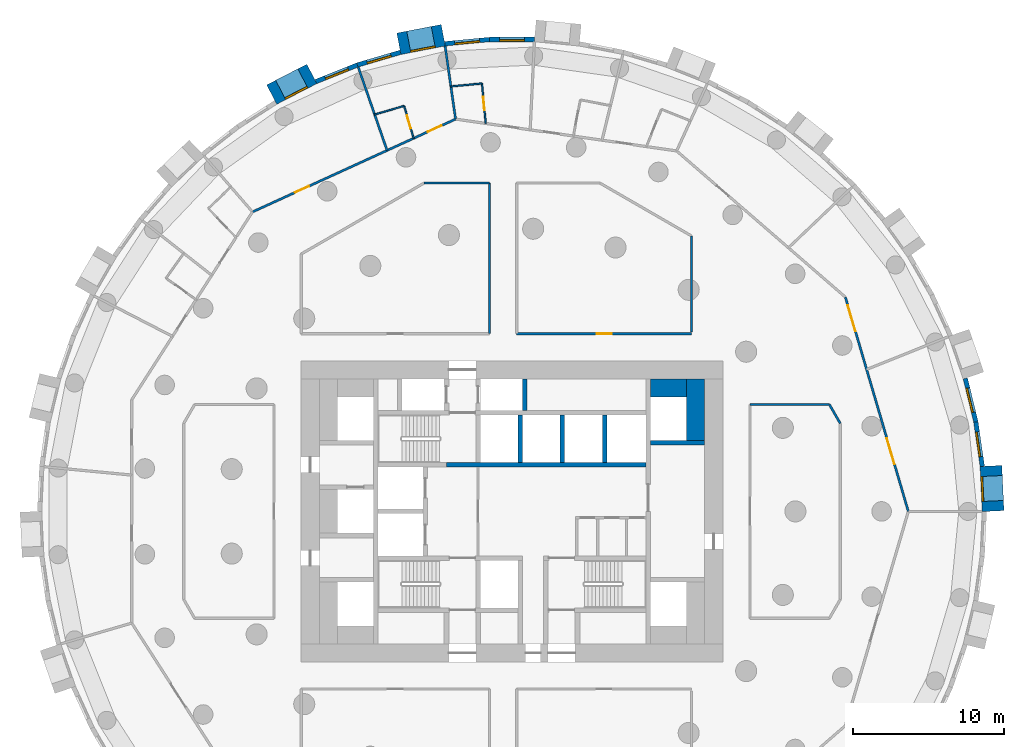
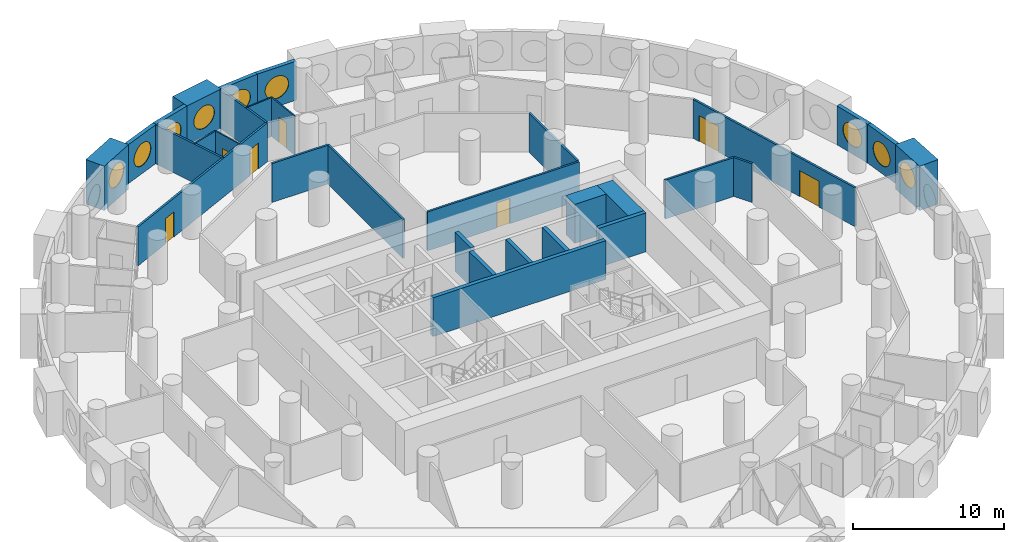
# One storey, part 8 of 11: 31 walls, 9 windows, 7 doors, 16 openings.
"""IFC4 building model written with IfcOpenShell, lengths in metres."""

from ifc_helpers import new_model, si_unit, direction, frame, frame_2d, origin, origin_2d, place, context, subcontext, project, spatial, rectangle, circle, extrude, material, layer, layer_set, type_object, element, fill, save


model = new_model("IFC4")

# Units and contexts
model_context = context("Model", 3, precision=1e-05, world=origin(), true_north=direction((0.0, 1.0)))
body_context = subcontext(model_context, "Body", "Model", "MODEL_VIEW")
ifc_project = project(units=[si_unit("LENGTHUNIT", "METRE"), si_unit("AREAUNIT", "SQUARE_METRE"), si_unit("VOLUMEUNIT", "CUBIC_METRE"), si_unit("PLANEANGLEUNIT", "RADIAN"), si_unit("MASSUNIT", "GRAM", prefix="KILO")], contexts=[model_context])

# Site, building, storey
site_placement = place(None, origin())
site = spatial("IfcSite", under=ifc_project, at=site_placement, CompositionType="ELEMENT")
building_placement = place(site_placement, origin())
building = spatial("IfcBuilding", under=site, at=building_placement, Name="Tracery Tower", CompositionType="ELEMENT")
storey_placement = place(building_placement, frame((0.0, 0.0, 93.0)))
storey = spatial("IfcBuildingStorey", under=building, at=storey_placement, Name="L23", CompositionType="ELEMENT", Elevation=93.0)

# Walls
ifc_material_1 = material(Name="Concrete C60/75", Category="concrete")
ifc_layer_1 = layer(ifc_material_1, 1.199951171875)
ifc_layer_set_1 = layer_set([ifc_layer_1], Name="Core strip wall 1200 C60")
wall_type_1 = type_object("IfcWallType", Name="Core strip wall 1200 C60", PredefinedType="SOLIDWALL", material=ifc_layer_set_1)
wall_1_placement = place(storey_placement, frame((12.199951171875, 4.699951171875, 0.0), z_axis=(0.0, 0.0, 1.0), x_axis=(0.0, 1.0, 0.0)))
element("IfcWall", 1, at=wall_1_placement, inside=storey, type_object=wall_type_1, Name="L23 wing strip +1 4.55", PredefinedType="SOLIDWALL", context=body_context, shape_type="SweptSolid", body=[
    extrude(rectangle(XDim=4.10009765625, YDim=1.199951171875, at=frame_2d((2.050048828125, 0.0))), origin(), (0.0, 0.0, 1.0), 3.14990234375),
])
wall_2_placement = place(storey_placement, frame((9.199951171875, 8.199951171875, 0.0), z_axis=(0.0, 0.0, 1.0), x_axis=(1.0, 0.0, 0.0)))
element("IfcWall", 2, at=wall_2_placement, inside=storey, type_object=wall_type_1, Name="L23 wing corner +1 +8.2", PredefinedType="SOLIDWALL", context=body_context, shape_type="SweptSolid", body=[
    extrude(rectangle(XDim=2.400146484375, YDim=1.199951171875, at=frame_2d((1.2001953125, 0.0))), origin(), (0.0, 0.0, 1.0), 3.14990234375),
])

# Wall, opening, window
ifc_material_2 = material(Name="Precast concrete C50/60", Category="concrete")
ifc_layer_2 = layer(ifc_material_2, 1.449951171875)
ifc_layer_set_2 = layer_set([ifc_layer_2], Name="Deep-set bay unit 3000 x 3600, slab edge 450")
wall_type_2 = type_object("IfcWallType", Name="Deep-set bay unit 3000 x 3600, slab edge 450", PredefinedType="ELEMENTEDWALL", material=ifc_layer_set_2)
wall_3_placement = place(storey_placement, frame((31.94921875, 0.020263671875, -0.449951171875), z_axis=(0.0, 0.0, 1.0), x_axis=(-0.047607680889, 0.998866111509, 0.0)))
wall_3 = element("IfcWall", 3, at=wall_3_placement, inside=storey, type_object=wall_type_2, Name="Deep-set bay unit 1 at L23", PredefinedType="ELEMENTEDWALL", context=body_context, shape_type="SweptSolid", body=[
    extrude(rectangle(XDim=3.0, YDim=1.449951171875, at=frame_2d((1.5, 0.0))), origin(), (0.0, 0.0, 1.0), 3.599853515625),
])
opening_1_placement = place(wall_3_placement, frame((1.5, 0.0, 2.0)))
opening_1 = element("IfcOpeningElement", 4, at=opening_1_placement, cuts=wall_3, Name="Opening WN1", PredefinedType="OPENING", context=body_context, shape_type="SweptSolid", body=[
    extrude(circle(Radius=0.9000244140625, at=origin_2d()), frame((0.0, 0.73486328125, 0.0), z_axis=(0.0, -1.0, 0.0), x_axis=(1.0, 0.0, 0.0)), (0.0, 0.0, 1.0), 1.469970703125),
])
ifc_material_3 = material(Name="Aluminium frame with tinted double glazing", Category="aluminium")
window_type = type_object("IfcWindowType", Name="Round window 1800", PartitioningType="SINGLE_PANEL", PredefinedType="WINDOW", material=ifc_material_3)
window_1_placement = place(opening_1_placement, origin())
window_1 = element("IfcWindow", 5, at=window_1_placement, inside=storey, type_object=window_type, Name="Round window 1 at L23", OverallHeight=1.800048828125, OverallWidth=1.800048828125, PartitioningType="SINGLE_PANEL", PredefinedType="WINDOW", context=body_context, shape_type="SweptSolid", body=[
    extrude(circle(Radius=0.9000244140625, at=origin_2d()), frame((0.0, 0.69482421875, 0.0), z_axis=(0.0, -1.0, 0.0), x_axis=(1.0, 0.0, 0.0)), (0.0, 0.0, 1.0), 0.10009765625),
])
fill(opening_1, window_1)

wall_4_placement = place(storey_placement, frame((-4.56689453125, 31.62109375, -0.449951171875), z_axis=(0.0, 0.0, 1.0), x_axis=(-0.981921602273, -0.189288052949, 0.0)))
wall_4 = element("IfcWall", 6, at=wall_4_placement, inside=storey, type_object=wall_type_2, Name="Deep-set bay unit 19 at L23", PredefinedType="ELEMENTEDWALL", context=body_context, shape_type="SweptSolid", body=[
    extrude(rectangle(XDim=3.0, YDim=1.449951171875, at=frame_2d((1.5, 0.0))), origin(), (0.0, 0.0, 1.0), 3.599853515625),
])
opening_2_placement = place(wall_4_placement, frame((1.5, 0.0, 2.0)))
opening_2 = element("IfcOpeningElement", 7, at=opening_2_placement, cuts=wall_4, Name="Opening WN1", PredefinedType="OPENING", context=body_context, shape_type="SweptSolid", body=[
    extrude(circle(Radius=0.9000244140625, at=origin_2d()), frame((0.0, 0.73486328125, 0.0), z_axis=(0.0, -1.0, 0.0), x_axis=(1.0, 0.0, 0.0)), (0.0, 0.0, 1.0), 1.469970703125),
])
window_2_placement = place(opening_2_placement, origin())
window_2 = element("IfcWindow", 8, at=window_2_placement, inside=storey, type_object=window_type, Name="Round window 19 at L23", OverallHeight=1.800048828125, OverallWidth=1.800048828125, PartitioningType="SINGLE_PANEL", PredefinedType="WINDOW", context=body_context, shape_type="SweptSolid", body=[
    extrude(circle(Radius=0.9000244140625, at=origin_2d()), frame((0.0, 0.69482421875, 0.0), z_axis=(0.0, -1.0, 0.0), x_axis=(1.0, 0.0, 0.0)), (0.0, 0.0, 1.0), 0.10009765625),
])
fill(opening_2, window_2)

wall_5_placement = place(storey_placement, frame((-13.29052734375, 29.053466796875, -0.449951171875), z_axis=(0.0, 0.0, 1.0), x_axis=(-0.888858064689, -0.458182650083, 0.0)))
wall_5 = element("IfcWall", 9, at=wall_5_placement, inside=storey, type_object=wall_type_2, Name="Deep-set bay unit 22 at L23", PredefinedType="ELEMENTEDWALL", context=body_context, shape_type="SweptSolid", body=[
    extrude(rectangle(XDim=3.0, YDim=1.449951171875, at=frame_2d((1.5, 0.0))), origin(), (0.0, 0.0, 1.0), 3.599853515625),
])
opening_3_placement = place(wall_5_placement, frame((1.5, 0.0, 2.0)))
opening_3 = element("IfcOpeningElement", 10, at=opening_3_placement, cuts=wall_5, Name="Opening WN1", PredefinedType="OPENING", context=body_context, shape_type="SweptSolid", body=[
    extrude(circle(Radius=0.9000244140625, at=origin_2d()), frame((0.0, 0.73486328125, 0.0), z_axis=(0.0, -1.0, 0.0), x_axis=(1.0, 0.0, 0.0)), (0.0, 0.0, 1.0), 1.469970703125),
])
window_3_placement = place(opening_3_placement, origin())
window_3 = element("IfcWindow", 11, at=window_3_placement, inside=storey, type_object=window_type, Name="Round window 22 at L23", OverallHeight=1.800048828125, OverallWidth=1.800048828125, PartitioningType="SINGLE_PANEL", PredefinedType="WINDOW", context=body_context, shape_type="SweptSolid", body=[
    extrude(circle(Radius=0.9000244140625, at=origin_2d()), frame((0.0, 0.69482421875, 0.0), z_axis=(0.0, -1.0, 0.0), x_axis=(1.0, 0.0, 0.0)), (0.0, 0.0, 1.0), 0.10009765625),
])
fill(opening_3, window_3)

ifc_material_4 = material(Name="Precast concrete C50/60", Category="concrete")
ifc_layer_3 = layer(ifc_material_4, 0.300048828125)
ifc_layer_set_3 = layer_set([ifc_layer_3], Name="Facade panel 3000 x 3150")
wall_type_3 = type_object("IfcWallType", Name="Facade panel 3000 x 3150", PredefinedType="SOLIDWALL", material=ifc_layer_set_3)
wall_6_placement = place(storey_placement, frame((31.2314453125, 2.98828125, 0.0), z_axis=(0.0, 0.0, 1.0), x_axis=(-0.142315996627, 0.989821275334, 0.0)))
wall_6 = element("IfcWall", 12, at=wall_6_placement, inside=storey, type_object=wall_type_3, Name="Facade panel 2 at L23", PredefinedType="SOLIDWALL", context=body_context, shape_type="SweptSolid", body=[
    extrude(rectangle(XDim=2.979736328125, YDim=0.300048828125, at=frame_2d((1.48974609375, 0.0))), origin(), (0.0, 0.0, 1.0), 3.14990234375),
])
opening_4_placement = place(wall_6_placement, frame((1.48974609375, 0.0, 1.5498046875)))
opening_4 = element("IfcOpeningElement", 13, at=opening_4_placement, cuts=wall_6, Name="Opening WN1", PredefinedType="OPENING", context=body_context, shape_type="SweptSolid", body=[
    extrude(circle(Radius=0.9000244140625, at=origin_2d()), frame((0.0, 0.159912109375, 0.0), z_axis=(0.0, -1.0, 0.0), x_axis=(1.0, 0.0, 0.0)), (0.0, 0.0, 1.0), 0.320068359375),
])
window_4_placement = place(opening_4_placement, origin())
window_4 = element("IfcWindow", 14, at=window_4_placement, inside=storey, type_object=window_type, Name="Round window 2 at L23", OverallHeight=1.800048828125, OverallWidth=1.800048828125, PartitioningType="SINGLE_PANEL", PredefinedType="WINDOW", context=body_context, shape_type="SweptSolid", body=[
    extrude(circle(Radius=0.9000244140625, at=origin_2d()), frame((0.0, 0.1201171875, 0.0), z_axis=(0.0, -1.0, 0.0), x_axis=(1.0, 0.0, 0.0)), (0.0, 0.0, 1.0), 0.10009765625),
])
fill(opening_4, window_4)

wall_7_placement = place(storey_placement, frame((30.807373046875, 5.937744140625, 0.0), z_axis=(0.0, 0.0, 1.0), x_axis=(-0.235743081534, 0.971815414319, 0.0)))
wall_7 = element("IfcWall", 15, at=wall_7_placement, inside=storey, type_object=wall_type_3, Name="Facade panel 3 at L23", PredefinedType="SOLIDWALL", context=body_context, shape_type="SweptSolid", body=[
    extrude(rectangle(XDim=2.9794921875, YDim=0.300048828125, at=frame_2d((1.48974609375, 0.0))), origin(), (0.0, 0.0, 1.0), 3.14990234375),
])
opening_5_placement = place(wall_7_placement, frame((1.48974609375, 0.0, 1.5498046875)))
opening_5 = element("IfcOpeningElement", 16, at=opening_5_placement, cuts=wall_7, Name="Opening WN1", PredefinedType="OPENING", context=body_context, shape_type="SweptSolid", body=[
    extrude(circle(Radius=0.9000244140625, at=origin_2d()), frame((0.0, 0.159912109375, 0.0), z_axis=(0.0, -1.0, 0.0), x_axis=(1.0, 0.0, 0.0)), (0.0, 0.0, 1.0), 0.320068359375),
])
window_5_placement = place(opening_5_placement, origin())
window_5 = element("IfcWindow", 17, at=window_5_placement, inside=storey, type_object=window_type, Name="Round window 3 at L23", OverallHeight=1.800048828125, OverallWidth=1.800048828125, PartitioningType="SINGLE_PANEL", PredefinedType="WINDOW", context=body_context, shape_type="SweptSolid", body=[
    extrude(circle(Radius=0.9000244140625, at=origin_2d()), frame((0.0, 0.1201171875, 0.0), z_axis=(0.0, -1.0, 0.0), x_axis=(1.0, 0.0, 0.0)), (0.0, 0.0, 1.0), 0.10009765625),
])
fill(opening_5, window_5)

wall_8_placement = place(storey_placement, frame((1.48681640625, 31.3388671875, 0.0), z_axis=(0.0, 0.0, 1.0), x_axis=(-1.0, 0.0, 0.0)))
wall_8 = element("IfcWall", 18, at=wall_8_placement, inside=storey, type_object=wall_type_3, Name="Facade panel 17 at L23", PredefinedType="SOLIDWALL", context=body_context, shape_type="SweptSolid", body=[
    extrude(rectangle(XDim=2.979736328125, YDim=0.300048828125, at=frame_2d((1.48974609375, 0.0))), origin(), (0.0, 0.0, 1.0), 3.14990234375),
])
opening_6_placement = place(wall_8_placement, frame((1.48974609375, 0.0, 1.5498046875)))
opening_6 = element("IfcOpeningElement", 19, at=opening_6_placement, cuts=wall_8, Name="Opening WN1", PredefinedType="OPENING", context=body_context, shape_type="SweptSolid", body=[
    extrude(circle(Radius=0.9000244140625, at=origin_2d()), frame((0.0, 0.159912109375, 0.0), z_axis=(0.0, -1.0, 0.0), x_axis=(1.0, 0.0, 0.0)), (0.0, 0.0, 1.0), 0.320068359375),
])
window_6_placement = place(opening_6_placement, origin())
window_6 = element("IfcWindow", 20, at=window_6_placement, inside=storey, type_object=window_type, Name="Round window 17 at L23", OverallHeight=1.800048828125, OverallWidth=1.800048828125, PartitioningType="SINGLE_PANEL", PredefinedType="WINDOW", context=body_context, shape_type="SweptSolid", body=[
    extrude(circle(Radius=0.9000244140625, at=origin_2d()), frame((0.0, 0.1201171875, 0.0), z_axis=(0.0, -1.0, 0.0), x_axis=(1.0, 0.0, 0.0)), (0.0, 0.0, 1.0), 0.10009765625),
])
fill(opening_6, window_6)

wall_9_placement = place(storey_placement, frame((-1.492919921875, 31.3388671875, 0.0), z_axis=(0.0, 0.0, 1.0), x_axis=(-0.995472611385, -0.095048829468, 0.0)))
wall_9 = element("IfcWall", 21, at=wall_9_placement, inside=storey, type_object=wall_type_3, Name="Facade panel 18 at L23", PredefinedType="SOLIDWALL", context=body_context, shape_type="SweptSolid", body=[
    extrude(rectangle(XDim=2.9794921875, YDim=0.300048828125, at=frame_2d((1.48974609375, 0.0))), origin(), (0.0, 0.0, 1.0), 3.14990234375),
])
opening_7_placement = place(wall_9_placement, frame((1.48974609375, 0.0, 1.5498046875)))
opening_7 = element("IfcOpeningElement", 22, at=opening_7_placement, cuts=wall_9, Name="Opening WN1", PredefinedType="OPENING", context=body_context, shape_type="SweptSolid", body=[
    extrude(circle(Radius=0.9000244140625, at=origin_2d()), frame((0.0, 0.159912109375, 0.0), z_axis=(0.0, -1.0, 0.0), x_axis=(1.0, 0.0, 0.0)), (0.0, 0.0, 1.0), 0.320068359375),
])
window_7_placement = place(opening_7_placement, origin())
window_7 = element("IfcWindow", 23, at=window_7_placement, inside=storey, type_object=window_type, Name="Round window 18 at L23", OverallHeight=1.800048828125, OverallWidth=1.800048828125, PartitioningType="SINGLE_PANEL", PredefinedType="WINDOW", context=body_context, shape_type="SweptSolid", body=[
    extrude(circle(Radius=0.9000244140625, at=origin_2d()), frame((0.0, 0.1201171875, 0.0), z_axis=(0.0, -1.0, 0.0), x_axis=(1.0, 0.0, 0.0)), (0.0, 0.0, 1.0), 0.10009765625),
])
fill(opening_7, window_7)

wall_10_placement = place(storey_placement, frame((-7.402587890625, 30.48828125, 0.0), z_axis=(0.0, 0.0, 1.0), x_axis=(-0.959501085144, -0.281704930036, 0.0)))
wall_10 = element("IfcWall", 24, at=wall_10_placement, inside=storey, type_object=wall_type_3, Name="Facade panel 20 at L23", PredefinedType="SOLIDWALL", context=body_context, shape_type="SweptSolid", body=[
    extrude(rectangle(XDim=2.9794921875, YDim=0.300048828125, at=frame_2d((1.48974609375, 0.0))), origin(), (0.0, 0.0, 1.0), 3.14990234375),
])
opening_8_placement = place(wall_10_placement, frame((1.48974609375, 0.0, 1.5498046875)))
opening_8 = element("IfcOpeningElement", 25, at=opening_8_placement, cuts=wall_10, Name="Opening WN1", PredefinedType="OPENING", context=body_context, shape_type="SweptSolid", body=[
    extrude(circle(Radius=0.9000244140625, at=origin_2d()), frame((0.0, 0.159912109375, 0.0), z_axis=(0.0, -1.0, 0.0), x_axis=(1.0, 0.0, 0.0)), (0.0, 0.0, 1.0), 0.320068359375),
])
window_8_placement = place(opening_8_placement, origin())
window_8 = element("IfcWindow", 26, at=window_8_placement, inside=storey, type_object=window_type, Name="Round window 20 at L23", OverallHeight=1.800048828125, OverallWidth=1.800048828125, PartitioningType="SINGLE_PANEL", PredefinedType="WINDOW", context=body_context, shape_type="SweptSolid", body=[
    extrude(circle(Radius=0.9000244140625, at=origin_2d()), frame((0.0, 0.1201171875, 0.0), z_axis=(0.0, -1.0, 0.0), x_axis=(1.0, 0.0, 0.0)), (0.0, 0.0, 1.0), 0.10009765625),
])
fill(opening_8, window_8)

wall_11_placement = place(storey_placement, frame((-10.261474609375, 29.64892578125, 0.0), z_axis=(0.0, 0.0, 1.0), x_axis=(-0.928374947, -0.371644935098, 0.0)))
wall_11 = element("IfcWall", 27, at=wall_11_placement, inside=storey, type_object=wall_type_3, Name="Facade panel 21 at L23", PredefinedType="SOLIDWALL", context=body_context, shape_type="SweptSolid", body=[
    extrude(rectangle(XDim=2.979736328125, YDim=0.300048828125, at=frame_2d((1.48974609375, 0.0))), origin(), (0.0, 0.0, 1.0), 3.14990234375),
])
opening_9_placement = place(wall_11_placement, frame((1.48974609375, 0.0, 1.5498046875)))
opening_9 = element("IfcOpeningElement", 28, at=opening_9_placement, cuts=wall_11, Name="Opening WN1", PredefinedType="OPENING", context=body_context, shape_type="SweptSolid", body=[
    extrude(circle(Radius=0.9000244140625, at=origin_2d()), frame((0.0, 0.159912109375, 0.0), z_axis=(0.0, -1.0, 0.0), x_axis=(1.0, 0.0, 0.0)), (0.0, 0.0, 1.0), 0.320068359375),
])
window_9_placement = place(opening_9_placement, origin())
window_9 = element("IfcWindow", 29, at=window_9_placement, inside=storey, type_object=window_type, Name="Round window 21 at L23", OverallHeight=1.800048828125, OverallWidth=1.800048828125, PartitioningType="SINGLE_PANEL", PredefinedType="WINDOW", context=body_context, shape_type="SweptSolid", body=[
    extrude(circle(Radius=0.9000244140625, at=origin_2d()), frame((0.0, 0.1201171875, 0.0), z_axis=(0.0, -1.0, 0.0), x_axis=(1.0, 0.0, 0.0)), (0.0, 0.0, 1.0), 0.10009765625),
])
fill(opening_9, window_9)

# Wall, opening, door
ifc_material_5 = material(Name="Plasterboard on steel studs", Category="steel")
ifc_layer_4 = layer(ifc_material_5, 0.10009765625)
ifc_layer_set_4 = layer_set([ifc_layer_4], Name="Partition 100 wet wall")
wall_type_4 = type_object("IfcWallType", Name="Partition 100 wet wall", PredefinedType="PARTITIONING", material=ifc_layer_set_4)
wall_12_placement = place(storey_placement, frame((-1.99609375, 28.41796875, 0.0), z_axis=(0.0, 0.0, 1.0), x_axis=(0.094925726797, -0.995484357683, 0.0)))
wall_12 = element("IfcWall", 30, at=wall_12_placement, inside=storey, type_object=wall_type_4, Name="Wet wall RA7-056", PredefinedType="PARTITIONING", context=body_context, shape_type="SweptSolid", body=[
    extrude(rectangle(XDim=2.6669921875, YDim=0.10009765625, at=frame_2d((1.33349609375, 0.0))), origin(), (0.0, 0.0, 1.0), 3.14990234375),
])
opening_10_placement = place(wall_12_placement, frame((0.883056640625, 0.0, 0.0)))
opening_10 = element("IfcOpeningElement", 31, at=opening_10_placement, cuts=wall_12, Name="Opening RA7-14", PredefinedType="OPENING", context=body_context, shape_type="SweptSolid", body=[
    extrude(rectangle(XDim=0.89990234375, YDim=2.0400390625, at=frame_2d((0.449951171875, 1.02001953125))), frame((0.0, 0.050048828125, 0.0), z_axis=(0.0, -1.0, 0.0), x_axis=(1.0, 0.0, 0.0)), (0.0, 0.0, 1.0), 0.10009765625),
])
ifc_material_6 = material(Name="Timber door leaf", Category="wood")
door_type_1 = type_object("IfcDoorType", Name="Door en-suite 900", OperationType="NOTDEFINED", PredefinedType="DOOR", material=ifc_material_6)
door_1_placement = place(opening_10_placement, origin())
door_1 = element("IfcDoor", 32, at=door_1_placement, inside=storey, type_object=door_type_1, Name="En-suite door RA7-14", OperationType="SINGLE_SWING_RIGHT", OverallHeight=2.0400390625, OverallWidth=0.89990234375, PredefinedType="DOOR", context=body_context, shape_type="SweptSolid", body=[
    extrude(rectangle(XDim=0.89990234375, YDim=2.0400390625, at=frame_2d((0.449951171875, 1.02001953125))), frame((0.0, 0.02490234375, 0.0), z_axis=(0.0, -1.0, 0.0), x_axis=(1.0, 0.0, 0.0)), (0.0, 0.0, 1.0), 0.050048828125),
])
fill(opening_10, door_1)

# Wall
wall_13_placement = place(storey_placement, frame((-4.05810546875, 28.220947265625, 0.0), z_axis=(0.0, 0.0, 1.0), x_axis=(0.995466291052, 0.095115000814, 0.0)))
element("IfcWall", 33, at=wall_13_placement, inside=storey, type_object=wall_type_4, Name="Wet wall RA7-057", PredefinedType="PARTITIONING", context=body_context, shape_type="SweptSolid", body=[
    extrude(rectangle(XDim=2.0712890625, YDim=0.10009765625, at=frame_2d((1.03564453125, 0.0))), origin(), (0.0, 0.0, 1.0), 3.14990234375),
])

# Wall, opening, door
wall_14_placement = place(storey_placement, frame((-7.1630859375, 26.929931640625, 0.0), z_axis=(0.0, 0.0, 1.0), x_axis=(0.281948165188, -0.959429638977, 0.0)))
wall_14 = element("IfcWall", 34, at=wall_14_placement, inside=storey, type_object=wall_type_4, Name="Wet wall RA7-059", PredefinedType="PARTITIONING", context=body_context, shape_type="SweptSolid", body=[
    extrude(rectangle(XDim=2.241943359375, YDim=0.10009765625, at=frame_2d((1.12109375, 0.0))), origin(), (0.0, 0.0, 1.0), 3.14990234375),
])
opening_11_placement = place(wall_14_placement, frame((0.6708984375, 0.0, 0.0)))
opening_11 = element("IfcOpeningElement", 35, at=opening_11_placement, cuts=wall_14, Name="Opening RA7-16", PredefinedType="OPENING", context=body_context, shape_type="SweptSolid", body=[
    extrude(rectangle(XDim=0.89990234375, YDim=2.0400390625, at=frame_2d((0.449951171875, 1.02001953125))), frame((0.0, 0.050048828125, 0.0), z_axis=(0.0, -1.0, 0.0), x_axis=(1.0, 0.0, 0.0)), (0.0, 0.0, 1.0), 0.10009765625),
])
door_2_placement = place(opening_11_placement, origin())
door_2 = element("IfcDoor", 36, at=door_2_placement, inside=storey, type_object=door_type_1, Name="En-suite door RA7-16", OperationType="SINGLE_SWING_RIGHT", OverallHeight=2.0400390625, OverallWidth=0.89990234375, PredefinedType="DOOR", context=body_context, shape_type="SweptSolid", body=[
    extrude(rectangle(XDim=0.89990234375, YDim=2.0400390625, at=frame_2d((0.449951171875, 1.02001953125))), frame((0.0, 0.02490234375, 0.0), z_axis=(0.0, -1.0, 0.0), x_axis=(1.0, 0.0, 0.0)), (0.0, 0.0, 1.0), 0.050048828125),
])
fill(opening_11, door_2)

# Walls
wall_15_placement = place(storey_placement, frame((-9.12109375, 26.35498046875, 0.0), z_axis=(0.0, 0.0, 1.0), x_axis=(0.95948923736, 0.281745281045, 0.0)))
element("IfcWall", 37, at=wall_15_placement, inside=storey, type_object=wall_type_4, Name="Wet wall RA7-060", PredefinedType="PARTITIONING", context=body_context, shape_type="SweptSolid", body=[
    extrude(rectangle(XDim=2.040771484375, YDim=0.10009765625, at=frame_2d((1.0205078125, 0.0))), origin(), (0.0, 0.0, 1.0), 3.14990234375),
])
ifc_material_7 = material(Name="Plasterboard on steel studs", Category="steel")
ifc_layer_5 = layer(ifc_material_7, 0.14990234375)
ifc_layer_set_5 = layer_set([ifc_layer_5], Name="Partition 150 acoustic unit wall")
wall_type_5 = type_object("IfcWallType", Name="Partition 150 acoustic unit wall", PredefinedType="PARTITIONING", material=ifc_layer_set_5)
wall_16_placement = place(storey_placement, frame((-4.444091796875, 30.906005859375, 0.0), z_axis=(0.0, 0.0, 1.0), x_axis=(0.142306296561, -0.989822669956, 0.0)))
element("IfcWall", 38, at=wall_16_placement, inside=storey, type_object=wall_type_5, Name="Unit wall RA7-058", PredefinedType="PARTITIONING", context=body_context, shape_type="SweptSolid", body=[
    extrude(rectangle(XDim=4.90478515625, YDim=0.14990234375, at=frame_2d((2.452392578125, 0.0))), origin(), (0.0, 0.0, 1.0), 3.14990234375),
])
wall_17_placement = place(storey_placement, frame((-10.2119140625, 29.507080078125, 0.0), z_axis=(0.0, 0.0, 1.0), x_axis=(0.327061884856, -0.945002922469, 0.0)))
element("IfcWall", 39, at=wall_17_placement, inside=storey, type_object=wall_type_5, Name="Unit wall RA7-061", PredefinedType="PARTITIONING", context=body_context, shape_type="SweptSolid", body=[
    extrude(rectangle(XDim=5.856689453125, YDim=0.14990234375, at=frame_2d((2.92822265625, 0.0))), origin(), (0.0, 0.0, 1.0), 3.14990234375),
])

# Wall, opening, door
ifc_material_8 = material(Name="Plasterboard on steel studs", Category="steel")
ifc_layer_6 = layer(ifc_material_8, 0.14990234375)
ifc_layer_set_6 = layer_set([ifc_layer_6], Name="Partition 150 corridor wall")
wall_type_6 = type_object("IfcWallType", Name="Partition 150 corridor wall", PredefinedType="PARTITIONING", material=ifc_layer_set_6)
wall_18_placement = place(storey_placement, frame((0.305908203125, 11.800048828125, 0.0), z_axis=(0.0, 0.0, 1.0), x_axis=(1.0, 0.0, 0.0)))
wall_18 = element("IfcWall", 40, at=wall_18_placement, inside=storey, type_object=wall_type_6, Name="Corridor wall RA7-002", PredefinedType="PARTITIONING", context=body_context, shape_type="SweptSolid", body=[
    extrude(rectangle(XDim=11.6181640625, YDim=0.14990234375, at=frame_2d((5.80908203125, 0.0))), origin(), (0.0, 0.0, 1.0), 3.14990234375),
])
opening_12_placement = place(wall_18_placement, frame((5.30908203125, 0.0, 0.0)))
opening_12 = element("IfcOpeningElement", 41, at=opening_12_placement, cuts=wall_18, Name="Opening RA7-02", PredefinedType="OPENING", context=body_context, shape_type="SweptSolid", body=[
    extrude(rectangle(XDim=1.0, YDim=2.0400390625, at=frame_2d((0.5, 1.02001953125))), frame((0.0, 0.074951171875, 0.0), z_axis=(0.0, -1.0, 0.0), x_axis=(1.0, 0.0, 0.0)), (0.0, 0.0, 1.0), 0.14990234375),
])
ifc_material_9 = material(Name="Timber door leaf", Category="wood")
door_type_2 = type_object("IfcDoorType", Name="Door communal room 1000", OperationType="NOTDEFINED", PredefinedType="DOOR", material=ifc_material_9)
door_3_placement = place(opening_12_placement, origin())
door_3 = element("IfcDoor", 42, at=door_3_placement, inside=storey, type_object=door_type_2, Name="Communal room door RA7-02", OperationType="SINGLE_SWING_RIGHT", OverallHeight=2.0400390625, OverallWidth=1.0, PredefinedType="DOOR", context=body_context, shape_type="SweptSolid", body=[
    extrude(rectangle(XDim=1.0, YDim=2.0400390625, at=frame_2d((0.5, 1.02001953125))), frame((0.0, 0.02490234375, 0.0), z_axis=(0.0, -1.0, 0.0), x_axis=(1.0, 0.0, 0.0)), (0.0, 0.0, 1.0), 0.050048828125),
])
fill(opening_12, door_3)

# Walls
wall_19_placement = place(storey_placement, frame((21.075927734375, 7.10009765625, 0.0), z_axis=(0.0, 0.0, 1.0), x_axis=(0.499863102386, -0.866104427234, 0.0)))
element("IfcWall", 43, at=wall_19_placement, inside=storey, type_object=wall_type_6, Name="Corridor wall RA7-010", PredefinedType="PARTITIONING", context=body_context, shape_type="SweptSolid", body=[
    extrude(rectangle(XDim=1.45263671875, YDim=0.14990234375, at=frame_2d((0.726318359375, 0.0))), origin(), (0.0, 0.0, 1.0), 3.14990234375),
])
wall_20_placement = place(storey_placement, frame((15.800048828125, 7.10009765625, 0.0), z_axis=(0.0, 0.0, 1.0), x_axis=(1.0, 0.0, 0.0)))
element("IfcWall", 44, at=wall_20_placement, inside=storey, type_object=wall_type_6, Name="Corridor wall RA7-011", PredefinedType="PARTITIONING", context=body_context, shape_type="SweptSolid", body=[
    extrude(rectangle(XDim=5.27587890625, YDim=0.14990234375, at=frame_2d((2.637939453125, 0.0))), origin(), (0.0, 0.0, 1.0), 3.14990234375),
])

# Wall, openings, doors
wall_21_placement = place(storey_placement, frame((22.140380859375, 14.228759765625, 0.0), z_axis=(0.0, 0.0, 1.0), x_axis=(0.281780364869, -0.959478934617, 0.0)))
wall_21 = element("IfcWall", 45, at=wall_21_placement, inside=storey, type_object=wall_type_6, Name="Corridor wall RA7-012", PredefinedType="PARTITIONING", context=body_context, shape_type="SweptSolid", body=[
    extrude(rectangle(XDim=14.82958984375, YDim=0.14990234375, at=frame_2d((7.414794921875, 0.0))), origin(), (0.0, 0.0, 1.0), 3.14990234375),
])
opening_13_placement = place(wall_21_placement, frame((9.764404296875, 0.0, 0.0)))
opening_13 = element("IfcOpeningElement", 46, at=opening_13_placement, cuts=wall_21, Name="Opening RA7-07", PredefinedType="OPENING", context=body_context, shape_type="SweptSolid", body=[
    extrude(rectangle(XDim=1.800048828125, YDim=2.10009765625, at=frame_2d((0.89990234375, 1.050048828125))), frame((0.0, 0.074951171875, 0.0), z_axis=(0.0, -1.0, 0.0), x_axis=(1.0, 0.0, 0.0)), (0.0, 0.0, 1.0), 0.14990234375),
])
opening_14_placement = place(wall_21_placement, frame((0.553955078125, 0.0, 0.0)))
opening_14 = element("IfcOpeningElement", 47, at=opening_14_placement, cuts=wall_21, Name="Opening RA7-08", PredefinedType="OPENING", context=body_context, shape_type="SweptSolid", body=[
    extrude(rectangle(XDim=1.800048828125, YDim=2.10009765625, at=frame_2d((0.89990234375, 1.050048828125))), frame((0.0, 0.074951171875, 0.0), z_axis=(0.0, -1.0, 0.0), x_axis=(1.0, 0.0, 0.0)), (0.0, 0.0, 1.0), 0.14990234375),
])
ifc_material_10 = material(Name="Timber door leaf", Category="wood")
door_type_3 = type_object("IfcDoorType", Name="Door double lounge 1800", OperationType="NOTDEFINED", PredefinedType="DOOR", material=ifc_material_10)
door_4_placement = place(opening_13_placement, origin())
door_4 = element("IfcDoor", 48, at=door_4_placement, inside=storey, type_object=door_type_3, Name="Double lounge door RA7-07", OperationType="DOUBLE_DOOR_SINGLE_SWING", OverallHeight=2.10009765625, OverallWidth=1.800048828125, PredefinedType="DOOR", context=body_context, shape_type="SweptSolid", body=[
    extrude(rectangle(XDim=1.800048828125, YDim=2.10009765625, at=frame_2d((0.89990234375, 1.050048828125))), frame((0.0, 0.02490234375, 0.0), z_axis=(0.0, -1.0, 0.0), x_axis=(1.0, 0.0, 0.0)), (0.0, 0.0, 1.0), 0.050048828125),
])
fill(opening_13, door_4)
door_5_placement = place(opening_14_placement, origin())
door_5 = element("IfcDoor", 49, at=door_5_placement, inside=storey, type_object=door_type_3, Name="Double lounge door RA7-08", OperationType="DOUBLE_DOOR_SINGLE_SWING", OverallHeight=2.10009765625, OverallWidth=1.800048828125, PredefinedType="DOOR", context=body_context, shape_type="SweptSolid", body=[
    extrude(rectangle(XDim=1.800048828125, YDim=2.10009765625, at=frame_2d((0.89990234375, 1.050048828125))), frame((0.0, 0.02490234375, 0.0), z_axis=(0.0, -1.0, 0.0), x_axis=(1.0, 0.0, 0.0)), (0.0, 0.0, 1.0), 0.050048828125),
])
fill(opening_14, door_5)

# Walls
wall_22_placement = place(storey_placement, frame((-1.489990234375, 11.800048828125, 0.0), z_axis=(0.0, 0.0, 1.0), x_axis=(0.0, 1.0, 0.0)))
element("IfcWall", 50, at=wall_22_placement, inside=storey, type_object=wall_type_6, Name="Corridor wall RA7-016", PredefinedType="PARTITIONING", context=body_context, shape_type="SweptSolid", body=[
    extrude(rectangle(XDim=10.001953125, YDim=0.14990234375, at=frame_2d((5.0009765625, 0.0))), origin(), (0.0, 0.0, 1.0), 3.14990234375),
])
wall_23_placement = place(storey_placement, frame((-5.842041015625, 21.802001953125, 0.0), z_axis=(0.0, 0.0, 1.0), x_axis=(1.0, 0.0, 0.0)))
element("IfcWall", 51, at=wall_23_placement, inside=storey, type_object=wall_type_6, Name="Corridor wall RA7-017", PredefinedType="PARTITIONING", context=body_context, shape_type="SweptSolid", body=[
    extrude(rectangle(XDim=4.35205078125, YDim=0.14990234375, at=frame_2d((2.176025390625, 0.0))), origin(), (0.0, 0.0, 1.0), 3.14990234375),
])
wall_24_placement = place(storey_placement, frame((11.919921875, 11.919921875, 0.0), z_axis=(0.0, 0.0, 1.0), x_axis=(0.0, 1.0, 0.0)))
element("IfcWall", 52, at=wall_24_placement, inside=storey, type_object=wall_type_6, Name="Corridor wall RA7-020", PredefinedType="PARTITIONING", context=body_context, shape_type="SweptSolid", body=[
    extrude(rectangle(XDim=6.373046875, YDim=0.14990234375, at=frame_2d((3.1865234375, 0.0))), origin(), (0.0, 0.0, 1.0), 3.14990234375),
])

# Wall, openings, doors
wall_25_placement = place(storey_placement, frame((-17.23388671875, 19.8876953125, 0.0), z_axis=(0.0, 0.0, 1.0), x_axis=(0.90953867323, 0.415619299238, 0.0)))
wall_25 = element("IfcWall", 53, at=wall_25_placement, inside=storey, type_object=wall_type_6, Name="Corridor wall RA7-025", PredefinedType="PARTITIONING", context=body_context, shape_type="SweptSolid", body=[
    extrude(rectangle(XDim=14.829345703125, YDim=0.14990234375, at=frame_2d((7.41455078125, 0.0))), origin(), (0.0, 0.0, 1.0), 3.14990234375),
])
opening_15_placement = place(wall_25_placement, frame((12.797119140625, 0.0, 0.0)))
opening_15 = element("IfcOpeningElement", 54, at=opening_15_placement, cuts=wall_25, Name="Opening RA7-17", PredefinedType="OPENING", context=body_context, shape_type="SweptSolid", body=[
    extrude(rectangle(XDim=1.0, YDim=2.10009765625, at=frame_2d((0.5, 1.050048828125))), frame((0.0, 0.074951171875, 0.0), z_axis=(0.0, -1.0, 0.0), x_axis=(1.0, 0.0, 0.0)), (0.0, 0.0, 1.0), 0.14990234375),
])
opening_16_placement = place(wall_25_placement, frame((3.114990234375, 0.0, 0.0)))
opening_16 = element("IfcOpeningElement", 55, at=opening_16_placement, cuts=wall_25, Name="Opening RA7-18", PredefinedType="OPENING", context=body_context, shape_type="SweptSolid", body=[
    extrude(rectangle(XDim=1.0, YDim=2.0400390625, at=frame_2d((0.5, 1.02001953125))), frame((0.0, 0.074951171875, 0.0), z_axis=(0.0, -1.0, 0.0), x_axis=(1.0, 0.0, 0.0)), (0.0, 0.0, 1.0), 0.14990234375),
])
door_6_placement = place(opening_16_placement, origin())
door_6 = element("IfcDoor", 56, at=door_6_placement, inside=storey, type_object=door_type_2, Name="Communal room door RA7-18", OperationType="SINGLE_SWING_LEFT", OverallHeight=2.0400390625, OverallWidth=1.0, PredefinedType="DOOR", context=body_context, shape_type="SweptSolid", body=[
    extrude(rectangle(XDim=1.0, YDim=2.0400390625, at=frame_2d((0.5, 1.02001953125))), frame((0.0, 0.02490234375, 0.0), z_axis=(0.0, -1.0, 0.0), x_axis=(1.0, 0.0, 0.0)), (0.0, 0.0, 1.0), 0.050048828125),
])
fill(opening_16, door_6)
ifc_material_11 = material(Name="Timber door leaf", Category="wood")
door_type_4 = type_object("IfcDoorType", Name="Door unit entrance 1000", OperationType="NOTDEFINED", PredefinedType="DOOR", material=ifc_material_11)
door_7_placement = place(opening_15_placement, origin())
door_7 = element("IfcDoor", 57, at=door_7_placement, inside=storey, type_object=door_type_4, Name="Unit entrance door RA7-17", OperationType="SINGLE_SWING_RIGHT", OverallHeight=2.10009765625, OverallWidth=1.0, PredefinedType="DOOR", context=body_context, shape_type="SweptSolid", body=[
    extrude(rectangle(XDim=1.0, YDim=2.10009765625, at=frame_2d((0.5, 1.050048828125))), frame((0.0, 0.02490234375, 0.0), z_axis=(0.0, -1.0, 0.0), x_axis=(1.0, 0.0, 0.0)), (0.0, 0.0, 1.0), 0.050048828125),
])
fill(opening_15, door_7)

# Walls
ifc_material_12 = material(Name="Concrete C60/75", Category="concrete")
ifc_layer_7 = layer(ifc_material_12, 0.300048828125)
ifc_layer_set_7 = layer_set([ifc_layer_7], Name="Shaft wall 300 C60")
wall_type_7 = type_object("IfcWallType", Name="Shaft wall 300 C60", PredefinedType="SOLIDWALL", material=ifc_layer_set_7)
for number, where, z_axis, x_axis, name in (
    (58, (0.550048828125, 3.25, 0.0), (0.0, 0.0, 1.0), (0.0, 1.0, 0.0), "L23 HR sep 1"),
    (59, (3.35009765625, 3.25, 0.0), (0.0, 0.0, 1.0), (0.0, 1.0, 0.0), "L23 HR sep 2"),
    (60, (6.14990234375, 3.25, 0.0), (0.0, 0.0, 1.0), (0.0, 1.0, 0.0), "L23 HR sep 3"),
):
    element("IfcWall", number, at=place(storey_placement, frame(where, z_axis=z_axis, x_axis=x_axis)), inside=storey, type_object=wall_type_7, Name=name, PredefinedType="SOLIDWALL", context=body_context, shape_type="SweptSolid", body=[
        extrude(rectangle(XDim=3.14990234375, YDim=0.300048828125, at=frame_2d((1.574951171875, 0.0))), origin(), (0.0, 0.0, 1.0), 3.14990234375),
    ])
wall_26_placement = place(storey_placement, frame((0.85009765625, 6.699951171875, 0.0), z_axis=(0.0, 0.0, 1.0), x_axis=(0.0, 1.0, 0.0)))
element("IfcWall", 61, at=wall_26_placement, inside=storey, type_object=wall_type_7, Name="L23 LR sep 0.85", PredefinedType="SOLIDWALL", context=body_context, shape_type="SweptSolid", body=[
    extrude(rectangle(XDim=2.10009765625, YDim=0.300048828125, at=frame_2d((1.050048828125, 0.0))), origin(), (0.0, 0.0, 1.0), 3.14990234375),
])
wall_27_placement = place(storey_placement, frame((9.199951171875, 4.550048828125, 0.0), z_axis=(0.0, 0.0, 1.0), x_axis=(1.0, 0.0, 0.0)))
element("IfcWall", 62, at=wall_27_placement, inside=storey, type_object=wall_type_7, Name="L23 wing shaft wall +1 +4.55", PredefinedType="SOLIDWALL", context=body_context, shape_type="SweptSolid", body=[
    extrude(rectangle(XDim=3.60009765625, YDim=0.300048828125, at=frame_2d((1.800048828125, 0.0))), origin(), (0.0, 0.0, 1.0), 3.14990234375),
])
ifc_material_13 = material(Name="Concrete C60/75", Category="concrete")
ifc_layer_8 = layer(ifc_material_13, 0.300048828125)
ifc_layer_set_8 = layer_set([ifc_layer_8], Name="Stair wall 300 C60")
wall_type_8 = type_object("IfcWallType", Name="Stair wall 300 C60", PredefinedType="SOLIDWALL", material=ifc_layer_set_8)
wall_28_placement = place(storey_placement, frame((-4.35009765625, 3.10009765625, 0.0), z_axis=(0.0, 0.0, 1.0), x_axis=(1.0, 0.0, 0.0)))
element("IfcWall", 63, at=wall_28_placement, inside=storey, type_object=wall_type_8, Name="L23 row N", PredefinedType="SOLIDWALL", context=body_context, shape_type="SweptSolid", body=[
    extrude(rectangle(XDim=13.25, YDim=0.300048828125, at=frame_2d((6.625, 0.0))), origin(), (0.0, 0.0, 1.0), 3.14990234375),
])

save(model, "model.ifc")
